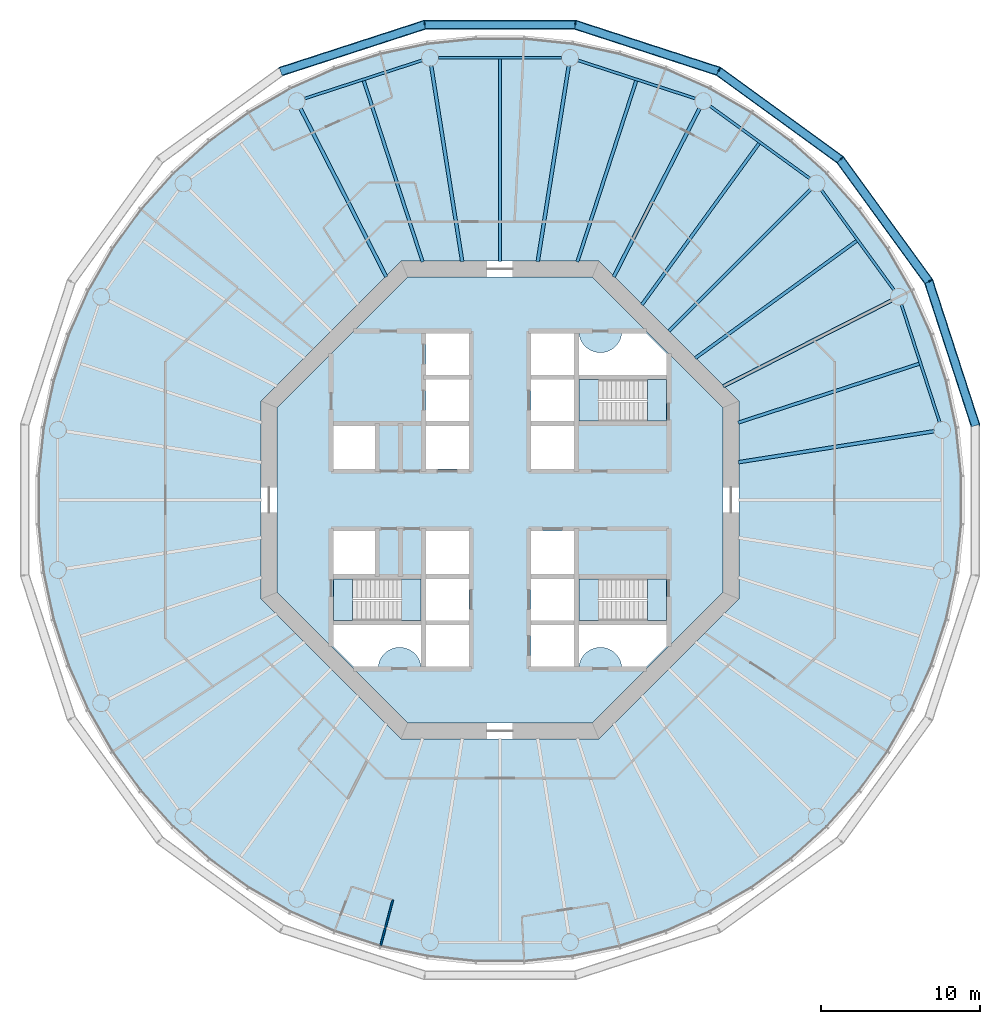
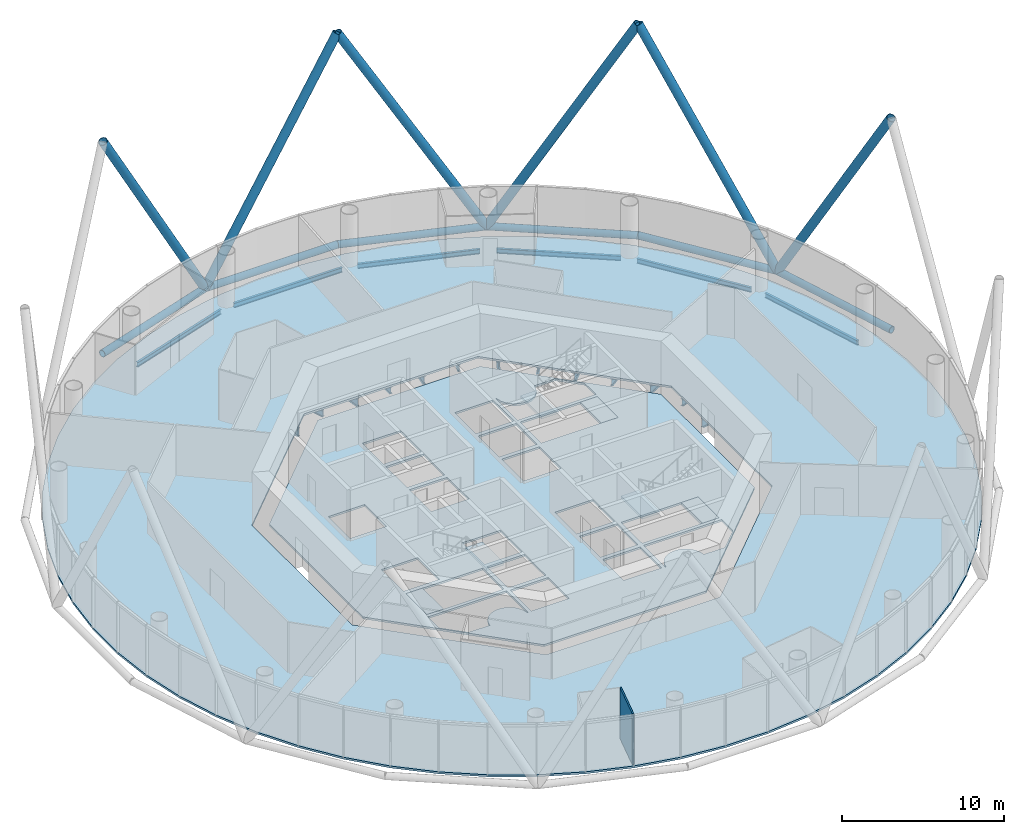
# One storey, part 2 of 13: 19 beams, 12 members, 8 slabs, 1 wall, 3 elements without a shape of their own.
"""IFC4 building model written with IfcOpenShell, lengths in metres."""

from ifc_helpers import new_model, si_unit, direction, frame, frame_2d, origin, origin_2d, place, context, subcontext, project, spatial, polyline, rectangle, circle, hollow_circle, i_section, outline, extrude, material, layer, layer_set, material_profile, profile_set, type_object, element, aggregate, save


model = new_model("IFC4")

# Units and contexts
model_context = context("Model", 3, precision=1e-05, world=origin(), true_north=direction((0.0, 1.0)))
body_context = subcontext(model_context, "Body", "Model", "MODEL_VIEW")
ifc_project = project(units=[si_unit("LENGTHUNIT", "METRE"), si_unit("AREAUNIT", "SQUARE_METRE"), si_unit("VOLUMEUNIT", "CUBIC_METRE"), si_unit("PLANEANGLEUNIT", "RADIAN"), si_unit("MASSUNIT", "GRAM", prefix="KILO")], contexts=[model_context])

# Site, building, storey
site_placement = place(None, origin())
site = spatial("IfcSite", under=ifc_project, at=site_placement, CompositionType="ELEMENT")
building_placement = place(site_placement, origin())
building = spatial("IfcBuilding", under=site, at=building_placement, Name="Entoto Ring Tower", CompositionType="ELEMENT")
storey_placement = place(building_placement, frame((0.0, 0.0, 164.0)))
storey = spatial("IfcBuildingStorey", under=building, at=storey_placement, Name="L37", CompositionType="ELEMENT", Elevation=164.0)

# Members
ifc_material_1 = material(Name="Steel S355", Category="steel")
ifc_material_profile_1 = material_profile(ifc_material_1, hollow_circle(Radius=0.300048828125, WallThickness=0.030029296875, at=origin_2d()), Name="CHS 600 x 30")
ifc_material_2 = material(Name="Concrete C60/75", Category="concrete")
ifc_material_profile_2 = material_profile(ifc_material_2, circle(Radius=0.27001953125, at=origin_2d()), Name="Concrete C60/75 infill")
ifc_profile_set_1 = profile_set([ifc_material_profile_1, ifc_material_profile_2], Name="Steel S355")
member_type_1 = type_object("IfcMemberType", Name="Diagrid diagonal 600 x 30 concrete-filled tube", PredefinedType="BRACE", material=ifc_profile_set_1)
member_1_placement = place(storey_placement, frame((116.908447265625, 93.71044921875, 0.0), z_axis=(0.157127731074, -0.483602341134, 0.861068900714), x_axis=(0.951058940693, 0.309009532745, 0.0)))
element("IfcMember", 1, at=member_1_placement, inside=storey, type_object=member_type_1, Name="DG4 module 12 01", PredefinedType="BRACE", context=body_context, shape_type="SweptSolid", body=[
    extrude(hollow_circle(Radius=0.300048828125, WallThickness=0.030029296875, at=origin_2d()), origin(), (0.0, 0.0, 1.0), 18.58154296875),
])
for number, where, z_axis, x_axis, name in (
    (2, (116.908447265625, 93.71044921875, 0.0), (-0.298880991698, 0.41138837397, 0.861063155967), (-0.809026493198, -0.587772178061, 0.0), "DG4 module 12 02"),
    (3, (103.71044921875, 106.908447265625, 0.0), (0.41138837397, -0.298880991698, 0.861063155967), (0.587772178061, 0.809026493198, 0.0), "DG4 module 12 03"),
):
    element("IfcMember", number, at=place(storey_placement, frame(where, z_axis=z_axis, x_axis=x_axis)), inside=storey, type_object=member_type_1, Name=name, PredefinedType="BRACE", context=body_context, shape_type="SweptSolid", body=[
        extrude(hollow_circle(Radius=0.300048828125, WallThickness=0.030029296875, at=origin_2d()), origin(), (0.0, 0.0, 1.0), 18.581787109375),
    ])
member_2_placement = place(storey_placement, frame((103.71044921875, 106.908447265625, 0.0), z_axis=(-0.483602341134, 0.157127731074, 0.861068900714), x_axis=(-0.309009532745, -0.951058940693, 0.0)))
element("IfcMember", 4, at=member_2_placement, inside=storey, type_object=member_type_1, Name="DG4 module 12 04", PredefinedType="BRACE", context=body_context, shape_type="SweptSolid", body=[
    extrude(hollow_circle(Radius=0.300048828125, WallThickness=0.030029296875, at=origin_2d()), origin(), (0.0, 0.0, 1.0), 18.58154296875),
])
member_3_placement = place(storey_placement, frame((85.275634765625, 109.828125, 0.0), z_axis=(0.508497342761, 0.0, 0.861063558865), x_axis=(0.0, 1.0, 0.0)))
element("IfcMember", 5, at=member_3_placement, inside=storey, type_object=member_type_1, Name="DG4 module 12 05", PredefinedType="BRACE", context=body_context, shape_type="SweptSolid", body=[
    extrude(hollow_circle(Radius=0.300048828125, WallThickness=0.030029296875, at=origin_2d()), origin(), (0.0, 0.0, 1.0), 18.581787109375),
])
member_4_placement = place(storey_placement, frame((85.275634765625, 109.828125, 0.0), z_axis=(-0.483602341134, -0.157127731074, 0.861068900714), x_axis=(0.309009532745, -0.951058940693, 0.0)))
element("IfcMember", 6, at=member_4_placement, inside=storey, type_object=member_type_1, Name="DG4 module 12 06", PredefinedType="BRACE", context=body_context, shape_type="SweptSolid", body=[
    extrude(hollow_circle(Radius=0.300048828125, WallThickness=0.030029296875, at=origin_2d()), origin(), (0.0, 0.0, 1.0), 18.58154296875),
])
ifc_material_3 = material(Name="Steel S355", Category="steel")
ifc_material_profile_3 = material_profile(ifc_material_3, hollow_circle(Radius=0.25390625, WallThickness=0.030029296875, at=origin_2d()), Name="CHS 508 x 30")
ifc_material_4 = material(Name="Concrete C60/75", Category="concrete")
ifc_material_profile_4 = material_profile(ifc_material_4, circle(Radius=0.22412109375, at=origin_2d()), Name="Concrete C60/75 infill")
ifc_profile_set_2 = profile_set([ifc_material_profile_3, ifc_material_profile_4], Name="Steel S355")
member_type_2 = type_object("IfcMemberType", Name="Diagrid ring beam 508 x 30", PredefinedType="CHORD", material=ifc_profile_set_2)
for number, where, z_axis, x_axis, name in (
    (7, (116.94384765625, 93.661865234375, 0.0), (-0.587786303985, 0.809016230274, 0.0), (-0.809016230274, -0.587786303985, 0.0), "DR2 ring 11 01"),
    (8, (111.4033203125, 101.3193359375, 0.0), (-0.809016230274, 0.587786303985, 0.0), (-0.587786303985, -0.809016230274, 0.0), "DR2 ring 11 02"),
    (9, (103.767822265625, 106.889892578125, 0.0), (-0.951064250524, 0.308993189852, 0.0), (-0.308993189852, -0.951064250524, 0.0), "DR2 ring 11 03"),
):
    element("IfcMember", number, at=place(storey_placement, frame(where, z_axis=z_axis, x_axis=x_axis)), inside=storey, type_object=member_type_2, Name=name, PredefinedType="CHORD", context=body_context, shape_type="SweptSolid", body=[
        extrude(hollow_circle(Radius=0.25390625, WallThickness=0.030029296875, at=origin_2d()), origin(), (0.0, 0.0, 1.0), 9.569091796875),
    ])
member_5_placement = place(storey_placement, frame((94.78466796875, 109.828125, 0.0), z_axis=(-1.0, 0.0, 0.0), x_axis=(0.0, -1.0, 0.0)))
element("IfcMember", 10, at=member_5_placement, inside=storey, type_object=member_type_2, Name="DR2 ring 11 04", PredefinedType="CHORD", context=body_context, shape_type="SweptSolid", body=[
    extrude(hollow_circle(Radius=0.25390625, WallThickness=0.030029296875, at=origin_2d()), origin(), (0.0, 0.0, 1.0), 9.5693359375),
])
for number, where, z_axis, x_axis, name in (
    (11, (85.3330078125, 109.8466796875, 0.0), (-0.951064250524, -0.308993189852, 0.0), (0.308993189852, -0.951064250524, 0.0), "DR2 ring 11 05"),
    (12, (119.8466796875, 84.6669921875, 0.0), (-0.308993189852, 0.951064250524, 0.0), (-0.951064250524, -0.308993189852, 0.0), "DR2 ring 11 20"),
):
    element("IfcMember", number, at=place(storey_placement, frame(where, z_axis=z_axis, x_axis=x_axis)), inside=storey, type_object=member_type_2, Name=name, PredefinedType="CHORD", context=body_context, shape_type="SweptSolid", body=[
        extrude(hollow_circle(Radius=0.25390625, WallThickness=0.030029296875, at=origin_2d()), origin(), (0.0, 0.0, 1.0), 9.569091796875),
    ])

# Beams
ifc_material_5 = material(Name="Steel S355", Category="steel")
ifc_material_profile_5 = material_profile(ifc_material_5, i_section(OverallWidth=0.169921875, OverallDepth=0.360107421875, WebThickness=0.008056640625, FlangeThickness=0.0126953125, FilletRadius=0.01806640625, at=origin_2d()), Name="IPE 360")
ifc_profile_set_3 = profile_set([ifc_material_profile_5], Name="Steel S355")
beam_type_1 = type_object("IfcBeamType", Name="Edge beam IPE 360", PredefinedType="SPANDREL", material=ifc_profile_set_3)
for number, where, z_axis, x_axis, name in (
    (13, (117.59228515625, 84.8935546875, -0.330078125), (-0.309012656105, 0.951057925874, 0.0), (-0.951057925874, -0.309012656105, 0.0), "Edge beam L37 01"),
    (14, (114.729736328125, 93.180419921875, -0.330078125), (-0.587791153253, 0.809012707043, 0.0), (-0.809012707043, -0.587791153253, 0.0), "Edge beam L37 02"),
    (15, (109.4462890625, 100.17724609375, -0.330078125), (-0.809012707043, 0.587791153253, 0.0), (-0.587791153253, -0.809012707043, 0.0), "Edge beam L37 03"),
    (16, (102.259521484375, 105.198974609375, -0.330078125), (-0.951057925874, 0.309012656105, 0.0), (-0.309012656105, -0.951057925874, 0.0), "Edge beam L37 04"),
    (17, (93.87255859375, 107.754150390625, -0.330078125), (-1.0, 0.0, 0.0), (0.0, -1.0, 0.0), "Edge beam L37 05"),
    (18, (85.1064453125, 107.59228515625, -0.330078125), (-0.951057925874, -0.309012656105, 0.0), (0.309012656105, -0.951057925874, 0.0), "Edge beam L37 06"),
):
    element("IfcBeam", number, at=place(storey_placement, frame(where, z_axis=z_axis, x_axis=x_axis)), inside=storey, type_object=beam_type_1, Name=name, PredefinedType="SPANDREL", context=body_context, shape_type="SweptSolid", body=[
        extrude(i_section(OverallWidth=0.169921875, OverallDepth=0.360107421875, WebThickness=0.008056640625, FlangeThickness=0.0126953125, FilletRadius=0.01806640625, at=origin_2d()), origin(), (0.0, 0.0, 1.0), 7.7451171875),
    ])
ifc_material_6 = material(Name="Steel S355", Category="steel")
ifc_material_profile_6 = material_profile(ifc_material_6, i_section(OverallWidth=0.219970703125, OverallDepth=0.60009765625, WebThickness=0.011962890625, FlangeThickness=0.01904296875, FilletRadius=0.02392578125, at=origin_2d()), Name="IPE 600")
ifc_profile_set_4 = profile_set([ifc_material_profile_6], Name="Steel S355")
beam_type_2 = type_object("IfcBeamType", Name="Primary floor beam IPE 600", PredefinedType="BEAM", material=ifc_profile_set_4)
beam_1_placement = place(storey_placement, frame((104.963134765625, 82.369873046875, -0.449951171875), z_axis=(0.987687213789, 0.156441579247, 0.0), x_axis=(-0.156441579247, 0.987687213789, 0.0)))
element("IfcBeam", 19, at=beam_1_placement, inside=storey, type_object=beam_type_2, Name="Primary L37 R01", PredefinedType="BEAM", context=body_context, shape_type="SweptSolid", body=[
    extrude(i_section(OverallWidth=0.219970703125, OverallDepth=0.60009765625, WebThickness=0.011962890625, FlangeThickness=0.01904296875, FilletRadius=0.02392578125, at=origin_2d()), origin(), (0.0, 0.0, 1.0), 12.431640625),
])
beam_2_placement = place(storey_placement, frame((104.003173828125, 87.135009765625, -0.449951171875), z_axis=(0.891010444609, 0.453982805399, 0.0), x_axis=(-0.453982805399, 0.891010444609, 0.0)))
element("IfcBeam", 20, at=beam_2_placement, inside=storey, type_object=beam_type_2, Name="Primary L37 R02", PredefinedType="BEAM", context=body_context, shape_type="SweptSolid", body=[
    extrude(i_section(OverallWidth=0.219970703125, OverallDepth=0.60009765625, WebThickness=0.011962890625, FlangeThickness=0.01904296875, FilletRadius=0.02392578125, at=origin_2d()), origin(), (0.0, 0.0, 1.0), 11.864990234375),
])
beam_3_placement = place(storey_placement, frame((100.592529296875, 90.592529296875, -0.449951171875), z_axis=(0.707106781187, 0.707106781187, 0.0), x_axis=(-0.707106781187, 0.707106781187, 0.0)))
element("IfcBeam", 21, at=beam_3_placement, inside=storey, type_object=beam_type_2, Name="Primary L37 R03", PredefinedType="BEAM", context=body_context, shape_type="SweptSolid", body=[
    extrude(i_section(OverallWidth=0.219970703125, OverallDepth=0.60009765625, WebThickness=0.011962890625, FlangeThickness=0.01904296875, FilletRadius=0.02392578125, at=origin_2d()), origin(), (0.0, 0.0, 1.0), 12.601318359375),
])
beam_4_placement = place(storey_placement, frame((97.135009765625, 94.003173828125, -0.449951171875), z_axis=(0.453982805399, 0.891010444609, 0.0), x_axis=(-0.891010444609, 0.453982805399, 0.0)))
element("IfcBeam", 22, at=beam_4_placement, inside=storey, type_object=beam_type_2, Name="Primary L37 R04", PredefinedType="BEAM", context=body_context, shape_type="SweptSolid", body=[
    extrude(i_section(OverallWidth=0.219970703125, OverallDepth=0.60009765625, WebThickness=0.011962890625, FlangeThickness=0.01904296875, FilletRadius=0.02392578125, at=origin_2d()), origin(), (0.0, 0.0, 1.0), 11.864990234375),
])
for number, where, z_axis, x_axis, name in (
    (23, (92.369873046875, 94.963134765625, -0.449951171875), (0.156441579247, 0.987687213789, 0.0), (-0.987687213789, 0.156441579247, 0.0), "Primary L37 R05"),
    (24, (87.630126953125, 94.963134765625, -0.449951171875), (-0.156441579247, 0.987687213789, 0.0), (-0.987687213789, -0.156441579247, 0.0), "Primary L37 R06"),
):
    element("IfcBeam", number, at=place(storey_placement, frame(where, z_axis=z_axis, x_axis=x_axis)), inside=storey, type_object=beam_type_2, Name=name, PredefinedType="BEAM", context=body_context, shape_type="SweptSolid", body=[
        extrude(i_section(OverallWidth=0.219970703125, OverallDepth=0.60009765625, WebThickness=0.011962890625, FlangeThickness=0.01904296875, FilletRadius=0.02392578125, at=origin_2d()), origin(), (0.0, 0.0, 1.0), 12.431640625),
    ])
beam_5_placement = place(storey_placement, frame((82.864990234375, 94.003173828125, -0.449951171875), z_axis=(-0.453982805399, 0.891010444609, 0.0), x_axis=(-0.891010444609, -0.453982805399, 0.0)))
element("IfcBeam", 25, at=beam_5_placement, inside=storey, type_object=beam_type_2, Name="Primary L37 R07", PredefinedType="BEAM", context=body_context, shape_type="SweptSolid", body=[
    extrude(i_section(OverallWidth=0.219970703125, OverallDepth=0.60009765625, WebThickness=0.011962890625, FlangeThickness=0.01904296875, FilletRadius=0.02392578125, at=origin_2d()), origin(), (0.0, 0.0, 1.0), 11.864990234375),
])
ifc_material_7 = material(Name="Steel S355", Category="steel")
ifc_material_profile_7 = material_profile(ifc_material_7, i_section(OverallWidth=0.199951171875, OverallDepth=0.5, WebThickness=0.01025390625, FlangeThickness=0.01611328125, FilletRadius=0.02099609375, at=origin_2d()), Name="IPE 500")
ifc_profile_set_5 = profile_set([ifc_material_profile_7], Name="Steel S355")
beam_type_3 = type_object("IfcBeamType", Name="Secondary floor beam IPE 500", PredefinedType="JOIST", material=ifc_profile_set_5)
beam_6_placement = place(storey_placement, frame((104.9501953125, 84.857666015625, -0.39990234375), z_axis=(0.951056587506, 0.30901677521, 0.0), x_axis=(-0.30901677521, 0.951056587506, 0.0)))
element("IfcBeam", 26, at=beam_6_placement, inside=storey, type_object=beam_type_3, Name="Secondary beam L37 01", PredefinedType="JOIST", context=body_context, shape_type="SweptSolid", body=[
    extrude(i_section(OverallWidth=0.199951171875, OverallDepth=0.5, WebThickness=0.01025390625, FlangeThickness=0.01611328125, FilletRadius=0.02099609375, at=origin_2d()), origin(), (0.0, 0.0, 1.0), 11.94970703125),
])
for number, where, z_axis, x_axis, name in (
    (27, (102.257568359375, 88.905517578125, -0.39990234375), (0.80901431041, 0.587788946436, 0.0), (-0.587788946436, 0.80901431041, 0.0), "Secondary beam L37 02"),
    (28, (98.905517578125, 92.257568359375, -0.39990234375), (0.587788946436, 0.80901431041, 0.0), (-0.80901431041, 0.587788946436, 0.0), "Secondary beam L37 03"),
):
    element("IfcBeam", number, at=place(storey_placement, frame(where, z_axis=z_axis, x_axis=x_axis)), inside=storey, type_object=beam_type_3, Name=name, PredefinedType="JOIST", context=body_context, shape_type="SweptSolid", body=[
        extrude(i_section(OverallWidth=0.199951171875, OverallDepth=0.5, WebThickness=0.01025390625, FlangeThickness=0.01611328125, FilletRadius=0.02099609375, at=origin_2d()), origin(), (0.0, 0.0, 1.0), 12.51806640625),
    ])
beam_7_placement = place(storey_placement, frame((94.857666015625, 94.9501953125, -0.39990234375), z_axis=(0.30901677521, 0.951056587506, 0.0), x_axis=(-0.951056587506, 0.30901677521, 0.0)))
element("IfcBeam", 29, at=beam_7_placement, inside=storey, type_object=beam_type_3, Name="Secondary beam L37 04", PredefinedType="JOIST", context=body_context, shape_type="SweptSolid", body=[
    extrude(i_section(OverallWidth=0.199951171875, OverallDepth=0.5, WebThickness=0.01025390625, FlangeThickness=0.01611328125, FilletRadius=0.02099609375, at=origin_2d()), origin(), (0.0, 0.0, 1.0), 11.94970703125),
])
beam_8_placement = place(storey_placement, frame((90.0, 94.97998046875, -0.39990234375), z_axis=(0.0, 1.0, 0.0), x_axis=(-1.0, 0.0, 0.0)))
element("IfcBeam", 30, at=beam_8_placement, inside=storey, type_object=beam_type_3, Name="Secondary beam L37 05", PredefinedType="JOIST", context=body_context, shape_type="SweptSolid", body=[
    extrude(i_section(OverallWidth=0.199951171875, OverallDepth=0.5, WebThickness=0.01025390625, FlangeThickness=0.01611328125, FilletRadius=0.02099609375, at=origin_2d()), origin(), (0.0, 0.0, 1.0), 12.68896484375),
])
beam_9_placement = place(storey_placement, frame((85.142333984375, 94.9501953125, -0.39990234375), z_axis=(-0.30901677521, 0.951056587506, 0.0), x_axis=(-0.951056587506, -0.30901677521, 0.0)))
element("IfcBeam", 31, at=beam_9_placement, inside=storey, type_object=beam_type_3, Name="Secondary beam L37 06", PredefinedType="JOIST", context=body_context, shape_type="SweptSolid", body=[
    extrude(i_section(OverallWidth=0.199951171875, OverallDepth=0.5, WebThickness=0.01025390625, FlangeThickness=0.01611328125, FilletRadius=0.02099609375, at=origin_2d()), origin(), (0.0, 0.0, 1.0), 11.94970703125),
])

# Slabs
ifc_material_8 = material(Name="Concrete C30/37", Category="concrete")
ifc_layer_1 = layer(ifc_material_8, 0.14990234375)
ifc_layer_set_1 = layer_set([ifc_layer_1], Name="Concrete C30/37")
slab_type_1 = type_object("IfcSlabType", Name="Composite floor slab 150 mm", PredefinedType="FLOOR", material=ifc_layer_set_1)
slab_1_placement = place(storey_placement, frame((0.0, 0.0, -0.14990234375)))
element("IfcSlab", 32, at=slab_1_placement, inside=storey, type_object=slab_type_1, Name="Floor slab L37", PredefinedType="FLOOR", context=body_context, shape_type="SweptSolid", body=[
    extrude(outline(polyline([(118.74169921875, 84.55224609375), (118.1083984375, 87.53173828125), (117.167236328125, 90.428466796875), (115.92822265625, 93.211181640625), (114.4052734375, 95.848876953125), (112.614990234375, 98.313232421875), (110.576904296875, 100.576904296875), (108.313232421875, 102.614990234375), (105.848876953125, 104.4052734375), (103.211181640625, 105.92822265625), (100.428466796875, 107.167236328125), (97.53173828125, 108.1083984375), (94.55224609375, 108.74169921875), (91.52294921875, 109.06005859375), (88.47705078125, 109.06005859375), (85.44775390625, 108.74169921875), (82.46826171875, 108.1083984375), (79.571533203125, 107.167236328125), (76.788818359375, 105.92822265625), (74.151123046875, 104.4052734375), (71.686767578125, 102.614990234375), (69.423095703125, 100.576904296875), (67.385009765625, 98.313232421875), (65.5947265625, 95.848876953125), (64.07177734375, 93.211181640625), (62.832763671875, 90.428466796875), (61.8916015625, 87.53173828125), (61.25830078125, 84.55224609375), (60.93994140625, 81.52294921875), (60.93994140625, 78.47705078125), (61.25830078125, 75.44775390625), (61.8916015625, 72.46826171875), (62.832763671875, 69.571533203125), (64.07177734375, 66.788818359375), (65.5947265625, 64.151123046875), (67.385009765625, 61.686767578125), (69.423095703125, 59.423095703125), (71.686767578125, 57.385009765625), (74.151123046875, 55.5947265625), (76.788818359375, 54.07177734375), (79.571533203125, 52.832763671875), (82.46826171875, 51.8916015625), (85.44775390625, 51.25830078125), (88.47705078125, 50.93994140625), (91.52294921875, 50.93994140625), (94.55224609375, 51.25830078125), (97.53173828125, 51.8916015625), (100.428466796875, 52.832763671875), (103.211181640625, 54.07177734375), (105.848876953125, 55.5947265625), (108.313232421875, 57.385009765625), (110.576904296875, 59.423095703125), (112.614990234375, 61.686767578125), (114.4052734375, 64.151123046875), (115.92822265625, 66.788818359375), (117.167236328125, 69.571533203125), (118.1083984375, 72.46826171875), (118.74169921875, 75.44775390625), (119.06005859375, 78.47705078125), (119.06005859375, 81.52294921875), (118.74169921875, 84.55224609375)]), holes=[polyline([(105.0, 73.786865234375), (105.0, 86.213134765625), (96.213134765625, 95.0), (83.786865234375, 95.0), (75.0, 86.213134765625), (75.0, 73.786865234375), (83.786865234375, 65.0), (96.213134765625, 65.0), (105.0, 73.786865234375)])]), origin(), (0.0, 0.0, 1.0), 0.14990234375),
])
ifc_material_9 = material(Name="Concrete C40/50", Category="concrete")
ifc_layer_2 = layer(ifc_material_9, 0.14990234375)
ifc_layer_set_2 = layer_set([ifc_layer_2], Name="Concrete C40/50")
slab_type_2 = type_object("IfcSlabType", Name="Core floor slab 150 mm reinforced concrete C40/50", PredefinedType="FLOOR", material=ifc_layer_set_2)
slab_2_placement = place(storey_placement, frame((0.0, 0.0, -0.14990234375)))
element("IfcSlab", 33, at=slab_2_placement, inside=storey, type_object=slab_type_2, Name="Core floor L37", PredefinedType="FLOOR", context=body_context, shape_type="SweptSolid", body=[
    extrude(outline(polyline([(104.0, 74.200927734375), (104.0, 85.799072265625), (95.799072265625, 94.0), (84.200927734375, 94.0), (76.0, 85.799072265625), (76.0, 74.200927734375), (84.200927734375, 66.0), (95.799072265625, 66.0), (104.0, 74.200927734375)]), holes=[polyline([(100.449951171875, 84.949951171875), (100.449951171875, 87.550048828125), (94.949951171875, 87.550048828125), (94.949951171875, 84.949951171875), (100.449951171875, 84.949951171875)]), polyline([(85.050048828125, 72.449951171875), (85.050048828125, 75.050048828125), (79.550048828125, 75.050048828125), (79.550048828125, 72.449951171875), (85.050048828125, 72.449951171875)]), polyline([(100.449951171875, 72.449951171875), (100.449951171875, 75.050048828125), (94.949951171875, 75.050048828125), (94.949951171875, 72.449951171875), (100.449951171875, 72.449951171875)]), polyline([(91.949951171875, 84.949951171875), (94.64990234375, 84.949951171875), (94.64990234375, 87.550048828125), (91.949951171875, 87.550048828125), (91.949951171875, 84.949951171875)]), polyline([(91.949951171875, 72.449951171875), (94.64990234375, 72.449951171875), (94.64990234375, 75.050048828125), (91.949951171875, 75.050048828125), (91.949951171875, 72.449951171875)]), polyline([(91.949951171875, 69.550048828125), (94.64990234375, 69.550048828125), (94.64990234375, 72.14990234375), (91.949951171875, 72.14990234375), (91.949951171875, 69.550048828125)]), polyline([(85.35009765625, 72.449951171875), (88.050048828125, 72.449951171875), (88.050048828125, 75.050048828125), (85.35009765625, 75.050048828125), (85.35009765625, 72.449951171875)]), polyline([(85.35009765625, 81.949951171875), (88.050048828125, 81.949951171875), (88.050048828125, 84.64990234375), (85.35009765625, 84.64990234375), (85.35009765625, 81.949951171875)]), polyline([(91.949951171875, 75.35009765625), (94.64990234375, 75.35009765625), (94.64990234375, 78.050048828125), (91.949951171875, 78.050048828125), (91.949951171875, 75.35009765625)]), polyline([(79.550048828125, 81.949951171875), (82.14990234375, 81.949951171875), (82.14990234375, 84.64990234375), (79.550048828125, 84.64990234375), (79.550048828125, 81.949951171875)]), polyline([(79.550048828125, 75.35009765625), (82.14990234375, 75.35009765625), (82.14990234375, 78.050048828125), (79.550048828125, 78.050048828125), (79.550048828125, 75.35009765625)]), polyline([(91.949951171875, 87.85009765625), (94.64990234375, 87.85009765625), (94.64990234375, 90.449951171875), (91.949951171875, 90.449951171875), (91.949951171875, 87.85009765625)]), polyline([(85.35009765625, 69.550048828125), (88.050048828125, 69.550048828125), (88.050048828125, 72.14990234375), (85.35009765625, 72.14990234375), (85.35009765625, 69.550048828125)]), polyline([(91.949951171875, 81.949951171875), (94.64990234375, 81.949951171875), (94.64990234375, 84.64990234375), (91.949951171875, 84.64990234375), (91.949951171875, 81.949951171875)]), polyline([(85.35009765625, 75.35009765625), (88.050048828125, 75.35009765625), (88.050048828125, 78.050048828125), (85.35009765625, 78.050048828125), (85.35009765625, 75.35009765625)]), polyline([(85.35009765625, 84.949951171875), (88.050048828125, 84.949951171875), (88.050048828125, 87.550048828125), (85.35009765625, 87.550048828125), (85.35009765625, 84.949951171875)]), polyline([(85.35009765625, 87.85009765625), (88.050048828125, 87.85009765625), (88.050048828125, 90.449951171875), (85.35009765625, 90.449951171875), (85.35009765625, 87.85009765625)]), polyline([(94.89990234375, 90.5), (94.89990234375, 87.800048828125), (100.5, 87.800048828125), (100.5, 89.15771484375), (99.15771484375, 90.5), (97.64501953125, 90.5), (97.6435546875, 90.4677734375), (97.6240234375, 90.336669921875), (97.591796875, 90.2080078125), (97.547119140625, 90.08349609375), (97.490478515625, 89.963623046875), (97.422607421875, 89.85009765625), (97.343505859375, 89.74365234375), (97.254638671875, 89.6455078125), (97.156494140625, 89.556396484375), (97.050048828125, 89.4775390625), (96.936279296875, 89.409423828125), (96.816650390625, 89.352783203125), (96.69189453125, 89.30810546875), (96.5634765625, 89.27587890625), (96.432373046875, 89.256591796875), (96.300048828125, 89.25), (96.167724609375, 89.256591796875), (96.03662109375, 89.27587890625), (95.908203125, 89.30810546875), (95.783447265625, 89.352783203125), (95.66357421875, 89.409423828125), (95.550048828125, 89.4775390625), (95.443603515625, 89.556396484375), (95.345458984375, 89.6455078125), (95.25634765625, 89.74365234375), (95.177490234375, 89.85009765625), (95.109375, 89.963623046875), (95.052734375, 90.08349609375), (95.008056640625, 90.2080078125), (94.975830078125, 90.336669921875), (94.95654296875, 90.4677734375), (94.954833984375, 90.5), (94.89990234375, 90.5)]), polyline([(79.5, 70.84228515625), (80.84228515625, 69.5), (82.35498046875, 69.5), (82.3564453125, 69.5322265625), (82.3759765625, 69.663330078125), (82.408203125, 69.7919921875), (82.452880859375, 69.91650390625), (82.509521484375, 70.036376953125), (82.577392578125, 70.14990234375), (82.656494140625, 70.25634765625), (82.745361328125, 70.3544921875), (82.843505859375, 70.443603515625), (82.949951171875, 70.5224609375), (83.063720703125, 70.590576171875), (83.183349609375, 70.647216796875), (83.30810546875, 70.69189453125), (83.4365234375, 70.72412109375), (83.567626953125, 70.743408203125), (83.699951171875, 70.75), (83.832275390625, 70.743408203125), (83.96337890625, 70.72412109375), (84.091796875, 70.69189453125), (84.216552734375, 70.647216796875), (84.33642578125, 70.590576171875), (84.449951171875, 70.5224609375), (84.556396484375, 70.443603515625), (84.654541015625, 70.3544921875), (84.74365234375, 70.25634765625), (84.822509765625, 70.14990234375), (84.890625, 70.036376953125), (84.947265625, 69.91650390625), (84.991943359375, 69.7919921875), (85.024169921875, 69.663330078125), (85.04345703125, 69.5322265625), (85.045166015625, 69.5), (85.10009765625, 69.5), (85.10009765625, 72.199951171875), (79.5, 72.199951171875), (79.5, 70.84228515625)]), polyline([(97.64501953125, 69.5), (99.15771484375, 69.5), (100.5, 70.84228515625), (100.5, 72.199951171875), (94.89990234375, 72.199951171875), (94.89990234375, 69.5), (94.954833984375, 69.5), (94.95654296875, 69.5322265625), (94.975830078125, 69.663330078125), (95.008056640625, 69.7919921875), (95.052734375, 69.91650390625), (95.109375, 70.036376953125), (95.177490234375, 70.14990234375), (95.25634765625, 70.25634765625), (95.345458984375, 70.3544921875), (95.443603515625, 70.443603515625), (95.550048828125, 70.5224609375), (95.66357421875, 70.590576171875), (95.783447265625, 70.647216796875), (95.908203125, 70.69189453125), (96.03662109375, 70.72412109375), (96.167724609375, 70.743408203125), (96.300048828125, 70.75), (96.432373046875, 70.743408203125), (96.5634765625, 70.72412109375), (96.69189453125, 70.69189453125), (96.816650390625, 70.647216796875), (96.936279296875, 70.590576171875), (97.050048828125, 70.5224609375), (97.156494140625, 70.443603515625), (97.254638671875, 70.3544921875), (97.343505859375, 70.25634765625), (97.422607421875, 70.14990234375), (97.490478515625, 70.036376953125), (97.547119140625, 69.91650390625), (97.591796875, 69.7919921875), (97.6240234375, 69.663330078125), (97.6435546875, 69.5322265625), (97.64501953125, 69.5)])]), origin(), (0.0, 0.0, 1.0), 0.14990234375),
])

# Stair, slabs
ifc_material_10 = material(Name="Concrete C40/50", Category="concrete")
stair_type = type_object("IfcStairType", Name="Exit stair 1200 mm dog-leg reinforced concrete", PredefinedType="HALF_TURN_STAIR", material=ifc_material_10)
stair_1_placement = place(storey_placement, origin())
stair_1 = element("IfcStair", 34, at=stair_1_placement, inside=storey, type_object=stair_type, Name="Exit stair 1", PredefinedType="HALF_TURN_STAIR")
ifc_material_11 = material(Name="Concrete C40/50", Category="concrete")
ifc_layer_3 = layer(ifc_material_11, 0.199951171875)
ifc_layer_set_3 = layer_set([ifc_layer_3], Name="Concrete C40/50")
slab_type_3 = type_object("IfcSlabType", Name="Stair landing 200 mm reinforced concrete", PredefinedType="LANDING", material=ifc_layer_set_3)
slab_3_placement = place(storey_placement, frame((0.0, 0.0, -0.199951171875)))
slab_3 = element("IfcSlab", 35, at=slab_3_placement, type_object=slab_type_3, Name="ST1 landing 1", PredefinedType="LANDING", context=body_context, shape_type="SweptSolid", body=[
    extrude(outline(polyline([(100.449951171875, 84.949951171875), (100.449951171875, 87.550048828125), (99.25, 87.550048828125), (99.25, 84.949951171875), (100.449951171875, 84.949951171875)])), origin(), (0.0, 0.0, 1.0), 0.199951171875),
])
slab_4_placement = place(storey_placement, frame((0.0, 0.0, 1.800048828125)))
slab_4 = element("IfcSlab", 36, at=slab_4_placement, type_object=slab_type_3, Name="ST1 landing 2", PredefinedType="LANDING", context=body_context, shape_type="SweptSolid", body=[
    extrude(outline(polyline([(94.949951171875, 84.949951171875), (96.169921875, 84.949951171875), (96.169921875, 87.550048828125), (94.949951171875, 87.550048828125), (94.949951171875, 84.949951171875)])), origin(), (0.0, 0.0, 1.0), 0.199951171875),
])
aggregate(stair_1, [slab_3, slab_4])

stair_2_placement = place(storey_placement, origin())
stair_2 = element("IfcStair", 37, at=stair_2_placement, inside=storey, type_object=stair_type, Name="Exit stair 2", PredefinedType="HALF_TURN_STAIR")
slab_5_placement = place(storey_placement, frame((0.0, 0.0, -0.199951171875)))
slab_5 = element("IfcSlab", 38, at=slab_5_placement, type_object=slab_type_3, Name="ST2 landing 1", PredefinedType="LANDING", context=body_context, shape_type="SweptSolid", body=[
    extrude(outline(polyline([(80.75, 72.449951171875), (80.75, 75.050048828125), (79.550048828125, 75.050048828125), (79.550048828125, 72.449951171875), (80.75, 72.449951171875)])), origin(), (0.0, 0.0, 1.0), 0.199951171875),
])
slab_6_placement = place(storey_placement, frame((0.0, 0.0, 1.800048828125)))
slab_6 = element("IfcSlab", 39, at=slab_6_placement, type_object=slab_type_3, Name="ST2 landing 2", PredefinedType="LANDING", context=body_context, shape_type="SweptSolid", body=[
    extrude(outline(polyline([(83.830078125, 72.449951171875), (85.050048828125, 72.449951171875), (85.050048828125, 75.050048828125), (83.830078125, 75.050048828125), (83.830078125, 72.449951171875)])), origin(), (0.0, 0.0, 1.0), 0.199951171875),
])
aggregate(stair_2, [slab_5, slab_6])

stair_3_placement = place(storey_placement, origin())
stair_3 = element("IfcStair", 40, at=stair_3_placement, inside=storey, type_object=stair_type, Name="Exit stair 3", PredefinedType="HALF_TURN_STAIR")
slab_7_placement = place(storey_placement, frame((0.0, 0.0, -0.199951171875)))
slab_7 = element("IfcSlab", 41, at=slab_7_placement, type_object=slab_type_3, Name="ST3 landing 1", PredefinedType="LANDING", context=body_context, shape_type="SweptSolid", body=[
    extrude(outline(polyline([(100.449951171875, 72.449951171875), (100.449951171875, 75.050048828125), (99.25, 75.050048828125), (99.25, 72.449951171875), (100.449951171875, 72.449951171875)])), origin(), (0.0, 0.0, 1.0), 0.199951171875),
])
slab_8_placement = place(storey_placement, frame((0.0, 0.0, 1.800048828125)))
slab_8 = element("IfcSlab", 42, at=slab_8_placement, type_object=slab_type_3, Name="ST3 landing 2", PredefinedType="LANDING", context=body_context, shape_type="SweptSolid", body=[
    extrude(outline(polyline([(94.949951171875, 72.449951171875), (96.169921875, 72.449951171875), (96.169921875, 75.050048828125), (94.949951171875, 75.050048828125), (94.949951171875, 72.449951171875)])), origin(), (0.0, 0.0, 1.0), 0.199951171875),
])
aggregate(stair_3, [slab_7, slab_8])

# Wall
ifc_material_12 = material(Name="Plasterboard on steel studs", Category="steel")
ifc_layer_4 = layer(ifc_material_12, 0.10009765625)
ifc_layer_set_4 = layer_set([ifc_layer_4], Name="Plasterboard on steel studs")
wall_type = type_object("IfcWallType", Name="Partition 100 mm plasterboard on steel studs", PredefinedType="PARTITIONING", material=ifc_layer_set_4)
wall_placement = place(storey_placement, frame((82.509765625, 52.046142578125, 0.0), z_axis=(0.0, 0.0, 1.0), x_axis=(0.258800896618, 0.965930688978, 0.0)))
element("IfcWall", 43, at=wall_placement, inside=storey, type_object=wall_type, Name="partition-L37-029", PredefinedType="PARTITIONING", context=body_context, shape_type="SweptSolid", body=[
    extrude(rectangle(XDim=2.949951171875, YDim=0.10009765625, at=frame_2d((1.47509765625, 0.0))), origin(), (0.0, 0.0, 1.0), 3.85009765625),
])

save(model, "model.ifc")
